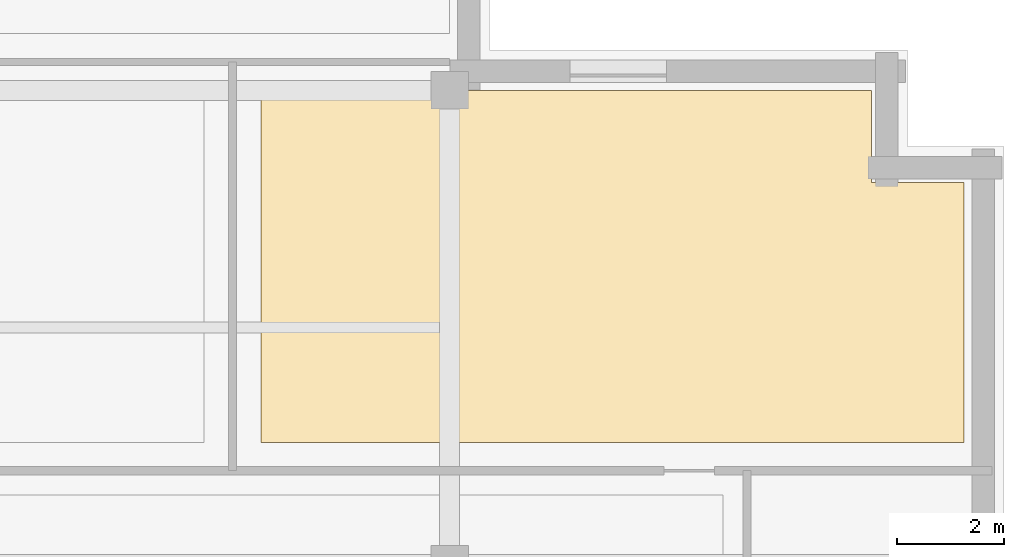
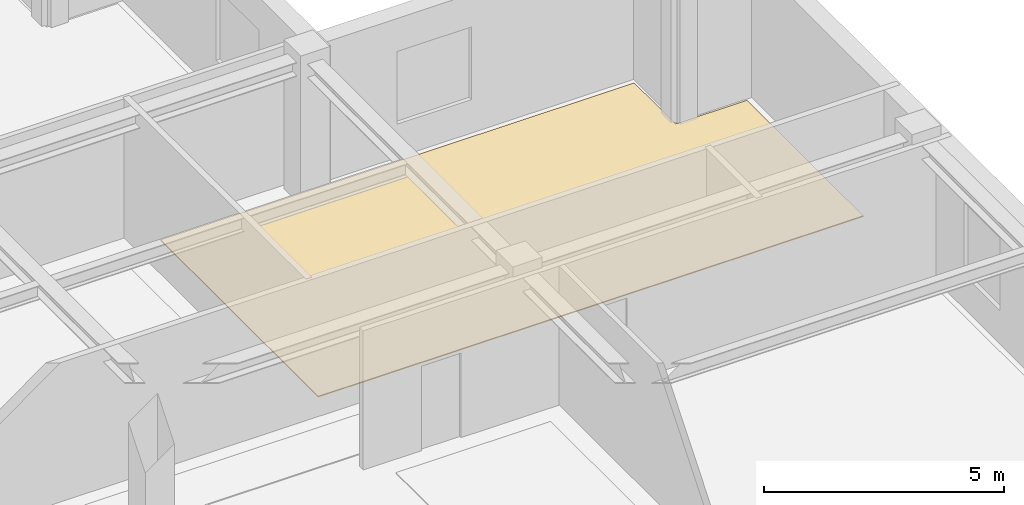
# One storey, part 9 of 10: 1 covering.
"""IFC4 building model written with IfcOpenShell, lengths in metres."""

from ifc_helpers import new_model, si_unit, direction, frame, origin, place, context, subcontext, project, spatial, polyline, outline, extrude, material, layer, layer_set, type_object, element, save


model = new_model("IFC4")

# Units and contexts
model_context = context("Model", 3, precision=1e-05, world=origin(), true_north=direction((0.0, 1.0)))
body_context = subcontext(model_context, "Body", "Model", "MODEL_VIEW")
ifc_project = project(units=[si_unit("LENGTHUNIT", "METRE"), si_unit("AREAUNIT", "SQUARE_METRE"), si_unit("VOLUMEUNIT", "CUBIC_METRE"), si_unit("PLANEANGLEUNIT", "RADIAN"), si_unit("MASSUNIT", "GRAM", prefix="KILO")], contexts=[model_context])

# Site, building, storey
site_placement = place(None, origin())
site = spatial("IfcSite", under=ifc_project, at=site_placement, CompositionType="ELEMENT")
building_placement = place(site_placement, origin())
building = spatial("IfcBuilding", under=site, at=building_placement, Name="Norrvale University Quadrangle", CompositionType="ELEMENT")
storey_placement = place(building_placement, frame((0.0, 0.0, 292.39990234375)))
storey = spatial("IfcBuildingStorey", under=building, at=storey_placement, Name="L74", CompositionType="ELEMENT", Elevation=292.39990234375)

# Covering
ifc_material = material(Name="Polished Terrazzo Flooring")
ifc_layer = layer(ifc_material, 0.02490234375, Name="Polished Terrazzo Flooring")
ifc_layer_set = layer_set([ifc_layer], Name="Polished Terrazzo Flooring")
covering_type = type_object("IfcCoveringType", Name="Covering Terrazzo Floor 30", PredefinedType="FLOORING", material=ifc_layer_set)
covering_placement = place(storey_placement, origin())
element("IfcCovering", 1, at=covering_placement, inside=storey, type_object=covering_type, Name="Terrazzo Flooring RM-L74-ME02", PredefinedType="FLOORING", context=body_context, shape_type="SweptSolid", body=[
    extrude(outline(polyline([(47.25, 31.080078125), (34.1298828125, 31.080078125), (34.1298828125, 37.64990234375), (45.530029296875, 37.64990234375), (45.530029296875, 35.929931640625), (47.25, 35.929931640625), (47.25, 31.080078125)])), origin(), (0.0, 0.0, 1.0), 0.025146484375),
])

save(model, "model.ifc")
